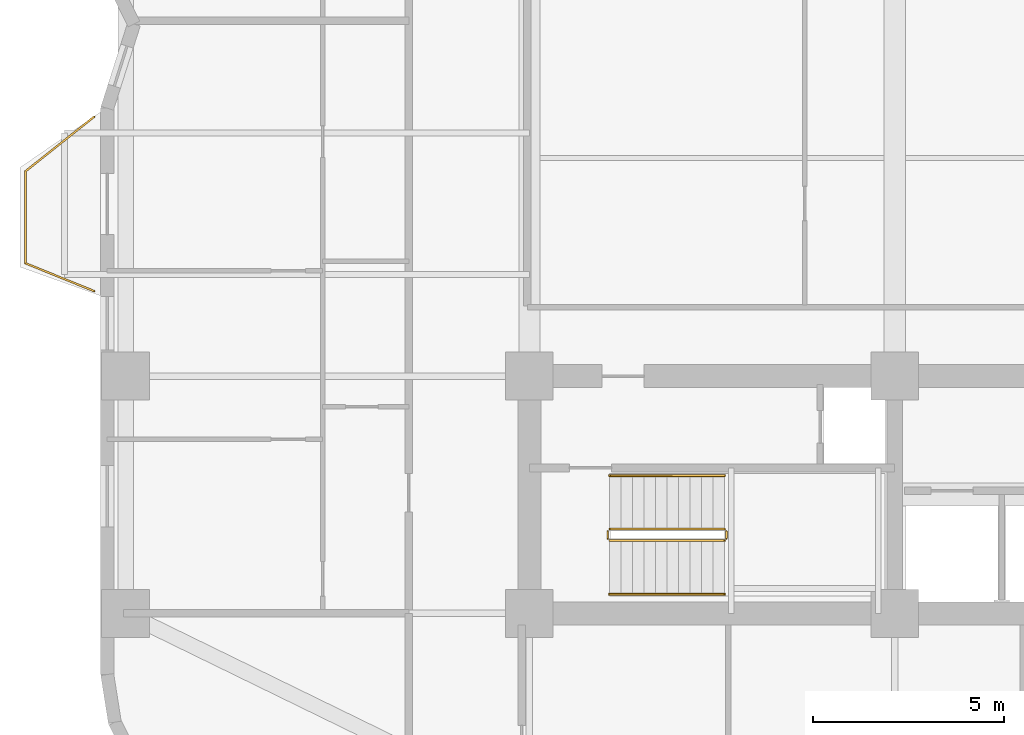
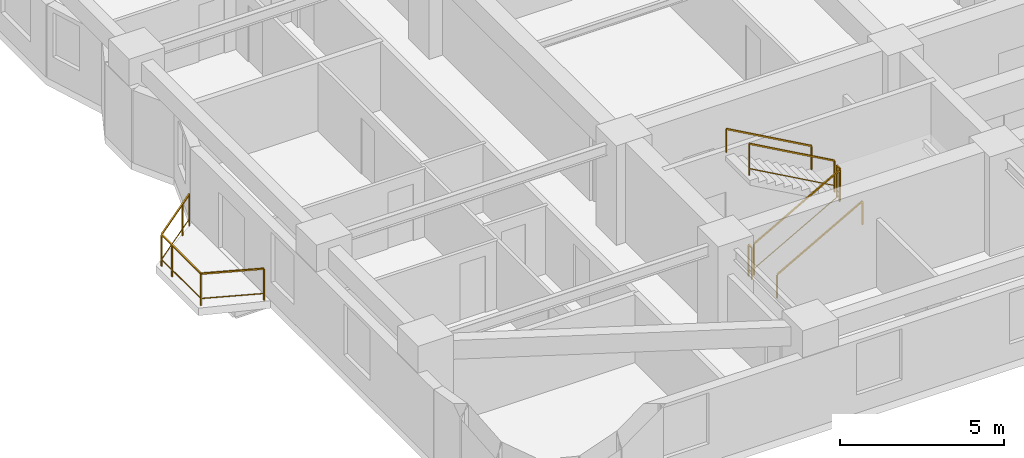
# One storey, part 8 of 9: 7 railings.
"""IFC4 building model written with IfcOpenShell, lengths in metres."""

from ifc_helpers import new_model, si_unit, direction, frame, origin, origin_2d, place, context, subcontext, project, spatial, rectangle, extrude, material, type_object, element, save


model = new_model("IFC4")

# Units and contexts
model_context = context("Model", 3, precision=1e-05, world=origin(), true_north=direction((0.0, 1.0)))
body_context = subcontext(model_context, "Body", "Model", "MODEL_VIEW")
ifc_project = project(units=[si_unit("LENGTHUNIT", "METRE"), si_unit("AREAUNIT", "SQUARE_METRE"), si_unit("VOLUMEUNIT", "CUBIC_METRE"), si_unit("PLANEANGLEUNIT", "RADIAN"), si_unit("MASSUNIT", "GRAM", prefix="KILO")], contexts=[model_context])

# Site, building, storey
site_placement = place(None, origin())
site = spatial("IfcSite", under=ifc_project, at=site_placement, CompositionType="ELEMENT")
building_placement = place(site_placement, origin())
building = spatial("IfcBuilding", under=site, at=building_placement, Name="Svetorya Sky Lyceum", CompositionType="ELEMENT")
storey_placement = place(building_placement, frame((0.0, 0.0, 65.800048828125)))
storey = spatial("IfcBuildingStorey", under=building, at=storey_placement, Name="L16", CompositionType="ELEMENT", Elevation=65.800048828125)

# Railings
ifc_material_1 = material(Name="Laminated safety glass and stainless AISI 316", Category="glass")
railing_type_1 = type_object("IfcRailingType", Name="RL-BAL-1200", PredefinedType="BALUSTRADE", material=ifc_material_1)
railing_1_placement = place(storey_placement, frame((14.22998046875, 19.02001953125, 0.0)))
element("IfcRailing", 1, at=railing_1_placement, inside=storey, type_object=railing_type_1, Name="L16 Balcony Balustrade BAL-W1", PredefinedType="BALUSTRADE", context=body_context, shape_type="SweptSolid", body=[
    extrude(rectangle(XDim=0.048095703125, YDim=0.048095703125, at=origin_2d()), frame((0.0, 0.0, 1.17578125), z_axis=(-0.926697865975, 0.375807218129, 0.0), x_axis=(-0.375807218129, -0.926697865975, 0.0)), (0.0, 0.0, 1.0), 1.9423828125),
    extrude(rectangle(XDim=0.02392578125, YDim=0.02392578125, at=origin_2d()), frame((0.0, 0.0, 0.25), z_axis=(-0.926697865975, 0.375807218129, 0.0), x_axis=(-0.375807218129, -0.926697865975, 0.0)), (0.0, 0.0, 1.0), 1.9423828125),
    extrude(rectangle(XDim=0.048095703125, YDim=0.048095703125, at=origin_2d()), frame((-1.800048828125, 0.72998046875, 1.17578125), z_axis=(0.0, 1.0, 0.0), x_axis=(-1.0, 0.0, 0.0)), (0.0, 0.0, 1.0), 2.39990234375),
    extrude(rectangle(XDim=0.02392578125, YDim=0.02392578125, at=origin_2d()), frame((-1.800048828125, 0.72998046875, 0.25), z_axis=(0.0, 1.0, 0.0), x_axis=(-1.0, 0.0, 0.0)), (0.0, 0.0, 1.0), 2.39990234375),
    extrude(rectangle(XDim=0.048095703125, YDim=0.048095703125, at=origin_2d()), frame((-1.800048828125, 3.1298828125, 1.17578125), z_axis=(0.782957196596, 0.622075580857, 0.0), x_axis=(-0.622075580857, 0.782957196596, 0.0)), (0.0, 0.0, 1.0), 2.299072265625),
    extrude(rectangle(XDim=0.02392578125, YDim=0.02392578125, at=origin_2d()), frame((-1.800048828125, 3.1298828125, 0.25), z_axis=(0.782957196596, 0.622075580857, 0.0), x_axis=(-0.622075580857, 0.782957196596, 0.0)), (0.0, 0.0, 1.0), 2.299072265625),
    extrude(rectangle(XDim=0.0419921875, YDim=0.0419921875, at=origin_2d()), origin(), (0.0, 0.0, 1.0), 1.15185546875),
    extrude(rectangle(XDim=0.0419921875, YDim=0.0419921875, at=origin_2d()), frame((-1.800048828125, 0.72998046875, 0.0)), (0.0, 0.0, 1.0), 1.15185546875),
    extrude(rectangle(XDim=0.0419921875, YDim=0.0419921875, at=origin_2d()), frame((-1.800048828125, 2.47998046875, 0.0)), (0.0, 0.0, 1.0), 1.15185546875),
    extrude(rectangle(XDim=0.0419921875, YDim=0.0419921875, at=origin_2d()), frame((-1.800048828125, 3.1298828125, 0.0)), (0.0, 0.0, 1.0), 1.15185546875),
    extrude(rectangle(XDim=0.0419921875, YDim=0.0419921875, at=origin_2d()), frame((-0.429931640625, 4.218505859375, 0.0)), (0.0, 0.0, 1.0), 1.15185546875),
    extrude(rectangle(XDim=0.0419921875, YDim=0.0419921875, at=origin_2d()), frame((0.0, 4.56005859375, 0.0)), (0.0, 0.0, 1.0), 1.15185546875),
])
ifc_material_2 = material(Name="Painted galvanized stair well guard")
railing_type_2 = type_object("IfcRailingType", Name="RL-STR-GUARD-1200", PredefinedType="GUARDRAIL", material=ifc_material_2)
railing_2_placement = place(storey_placement, frame((27.699951171875, 12.5, 0.168212890625)))
element("IfcRailing", 2, at=railing_2_placement, inside=storey, type_object=railing_type_2, Name="L16 ST-S stair guard 1", PredefinedType="GUARDRAIL", context=body_context, shape_type="SweptSolid", body=[
    extrude(rectangle(XDim=0.048095703125, YDim=0.048095703125, at=origin_2d()), frame((0.0, 0.0, 1.17578125), z_axis=(0.872302573547, 0.0, 0.488966481656), x_axis=(0.0, 1.0, 0.0)), (0.0, 0.0, 1.0), 3.439208984375),
    extrude(rectangle(XDim=0.02392578125, YDim=0.02392578125, at=origin_2d()), frame((0.0, 0.0, 0.25), z_axis=(0.872302573547, 0.0, 0.488966481656), x_axis=(0.0, 1.0, 0.0)), (0.0, 0.0, 1.0), 3.439208984375),
    extrude(rectangle(XDim=0.0419921875, YDim=0.0419921875, at=origin_2d()), origin(), (0.0, 0.0, 1.0), 1.15185546875),
    extrude(rectangle(XDim=0.0419921875, YDim=0.0419921875, at=origin_2d()), frame((3.0, 0.0, 1.681640625)), (0.0, 0.0, 1.0), 1.15185546875),
])
railing_3_placement = place(storey_placement, frame((30.75, 12.550048828125, 1.849853515625)))
element("IfcRailing", 3, at=railing_3_placement, inside=storey, type_object=railing_type_2, Name="L16 ST-S stair guard 2", PredefinedType="GUARDRAIL", context=body_context, shape_type="SweptSolid", body=[
    extrude(rectangle(XDim=0.048095703125, YDim=0.048095703125, at=origin_2d()), frame((0.0, 0.0, 1.17578125), z_axis=(0.0, 1.0, 0.0), x_axis=(-1.0, 0.0, 0.0)), (0.0, 0.0, 1.0), 0.199951171875),
    extrude(rectangle(XDim=0.02392578125, YDim=0.02392578125, at=origin_2d()), frame((0.0, 0.0, 0.25), z_axis=(0.0, 1.0, 0.0), x_axis=(-1.0, 0.0, 0.0)), (0.0, 0.0, 1.0), 0.199951171875),
    extrude(rectangle(XDim=0.0419921875, YDim=0.0419921875, at=origin_2d()), origin(), (0.0, 0.0, 1.0), 1.15185546875),
    extrude(rectangle(XDim=0.0419921875, YDim=0.0419921875, at=origin_2d()), frame((0.0, 0.199951171875, 0.0)), (0.0, 0.0, 1.0), 1.15185546875),
])
railing_4_placement = place(storey_placement, frame((30.699951171875, 12.800048828125, 2.01806640625)))
element("IfcRailing", 4, at=railing_4_placement, inside=storey, type_object=railing_type_2, Name="L16 ST-S stair guard 3", PredefinedType="GUARDRAIL", context=body_context, shape_type="SweptSolid", body=[
    extrude(rectangle(XDim=0.048095703125, YDim=0.048095703125, at=origin_2d()), frame((0.0, 0.0, 1.17578125), z_axis=(-0.872272294576, 0.0, 0.489020494575), x_axis=(0.0, -1.0, 0.0)), (0.0, 0.0, 1.0), 3.439208984375),
    extrude(rectangle(XDim=0.02392578125, YDim=0.02392578125, at=origin_2d()), frame((0.0, 0.0, 0.25), z_axis=(-0.872272294576, 0.0, 0.489020494575), x_axis=(0.0, -1.0, 0.0)), (0.0, 0.0, 1.0), 3.439208984375),
    extrude(rectangle(XDim=0.0419921875, YDim=0.0419921875, at=origin_2d()), origin(), (0.0, 0.0, 1.0), 1.15185546875),
    extrude(rectangle(XDim=0.0419921875, YDim=0.0419921875, at=origin_2d()), frame((-3.0, 0.0, 1.681884765625)), (0.0, 0.0, 1.0), 1.15185546875),
])
railing_5_placement = place(storey_placement, frame((27.64990234375, 12.550048828125, 0.0)))
element("IfcRailing", 5, at=railing_5_placement, inside=storey, type_object=railing_type_2, Name="L16 ST-S stair guard 4", PredefinedType="GUARDRAIL", context=body_context, shape_type="SweptSolid", body=[
    extrude(rectangle(XDim=0.048095703125, YDim=0.048095703125, at=origin_2d()), frame((0.0, 0.0, 1.17578125), z_axis=(0.0, 1.0, 0.0), x_axis=(-1.0, 0.0, 0.0)), (0.0, 0.0, 1.0), 0.199951171875),
    extrude(rectangle(XDim=0.02392578125, YDim=0.02392578125, at=origin_2d()), frame((0.0, 0.0, 0.25), z_axis=(0.0, 1.0, 0.0), x_axis=(-1.0, 0.0, 0.0)), (0.0, 0.0, 1.0), 0.199951171875),
    extrude(rectangle(XDim=0.0419921875, YDim=0.0419921875, at=origin_2d()), origin(), (0.0, 0.0, 1.0), 1.15185546875),
    extrude(rectangle(XDim=0.0419921875, YDim=0.0419921875, at=origin_2d()), frame((0.0, 0.199951171875, 0.0)), (0.0, 0.0, 1.0), 1.15185546875),
])
ifc_material_3 = material(Name="Brushed stainless AISI 304 stair handrail")
railing_type_3 = type_object("IfcRailingType", Name="RL-STR-HAND-920", PredefinedType="HANDRAIL", material=ifc_material_3)
railing_6_placement = place(storey_placement, frame((27.699951171875, 11.10009765625, 0.168212890625)))
element("IfcRailing", 6, at=railing_6_placement, inside=storey, type_object=railing_type_3, Name="L16 ST-S stair handrail 1", PredefinedType="HANDRAIL", context=body_context, shape_type="SweptSolid", body=[
    extrude(rectangle(XDim=0.048095703125, YDim=0.048095703125, at=origin_2d()), frame((0.0, 0.0, 0.8759765625), z_axis=(0.872302573547, 0.0, 0.488966481656), x_axis=(0.0, 1.0, 0.0)), (0.0, 0.0, 1.0), 3.439208984375),
    extrude(rectangle(XDim=0.0419921875, YDim=0.0419921875, at=origin_2d()), origin(), (0.0, 0.0, 1.0), 0.851806640625),
    extrude(rectangle(XDim=0.0419921875, YDim=0.0419921875, at=origin_2d()), frame((3.0, 0.0, 1.681640625)), (0.0, 0.0, 1.0), 0.851806640625),
])
railing_7_placement = place(storey_placement, frame((30.699951171875, 14.199951171875, 2.01806640625)))
element("IfcRailing", 7, at=railing_7_placement, inside=storey, type_object=railing_type_3, Name="L16 ST-S stair handrail 2", PredefinedType="HANDRAIL", context=body_context, shape_type="SweptSolid", body=[
    extrude(rectangle(XDim=0.048095703125, YDim=0.048095703125, at=origin_2d()), frame((0.0, 0.0, 0.8759765625), z_axis=(-0.872272294576, 0.0, 0.489020494575), x_axis=(0.0, -1.0, 0.0)), (0.0, 0.0, 1.0), 3.439208984375),
    extrude(rectangle(XDim=0.0419921875, YDim=0.0419921875, at=origin_2d()), origin(), (0.0, 0.0, 1.0), 0.851806640625),
    extrude(rectangle(XDim=0.0419921875, YDim=0.0419921875, at=origin_2d()), frame((-3.0, 0.0, 1.681884765625)), (0.0, 0.0, 1.0), 0.851806640625),
])

save(model, "model.ifc")
